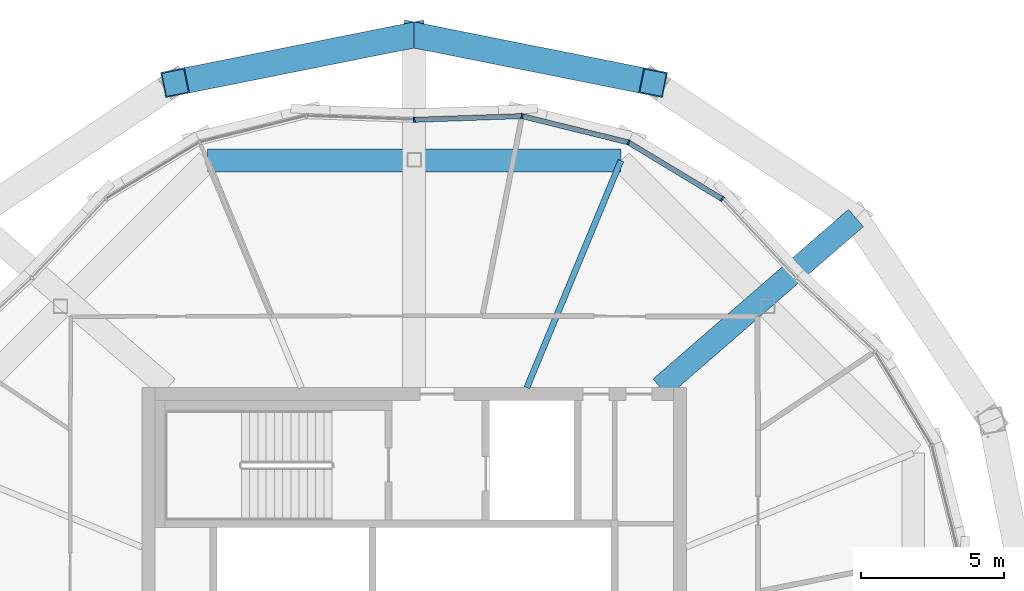
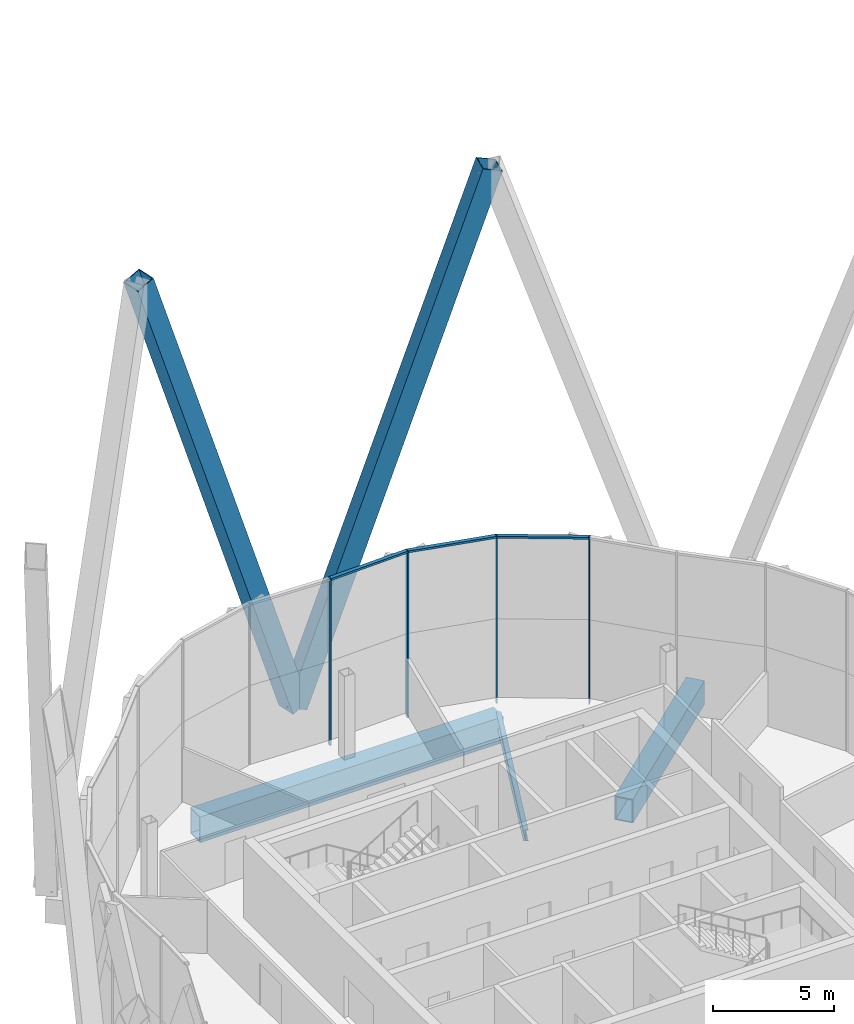
# One storey, part 9 of 38: 9 members, 3 beams, 1 element without a shape of its own.
"""IFC4 building model written with IfcOpenShell, lengths in metres."""

from ifc_helpers import new_model, si_unit, direction, frame, origin, origin_2d, place, context, subcontext, project, spatial, rectangle, hollow_rectangle, i_section, extrude, material, material_profile, profile_set, type_object, element, aggregate, save


model = new_model("IFC4")

# Units and contexts
model_context = context("Model", 3, precision=1e-05, world=origin(), true_north=direction((0.0, 1.0)))
body_context = subcontext(model_context, "Body", "Model", "MODEL_VIEW")
ifc_project = project(units=[si_unit("LENGTHUNIT", "METRE"), si_unit("AREAUNIT", "SQUARE_METRE"), si_unit("VOLUMEUNIT", "CUBIC_METRE"), si_unit("PLANEANGLEUNIT", "RADIAN"), si_unit("MASSUNIT", "GRAM", prefix="KILO")], contexts=[model_context])

# Site, building, storey
site_placement = place(None, origin())
site = spatial("IfcSite", under=ifc_project, at=site_placement, CompositionType="ELEMENT")
building_placement = place(site_placement, origin())
building = spatial("IfcBuilding", under=site, at=building_placement, Name="Ogive Gate Towers", CompositionType="ELEMENT")
storey_placement = place(building_placement, frame((0.0, 0.0, 268.800048828125)))
storey = spatial("IfcBuildingStorey", under=building, at=storey_placement, Name="L63", CompositionType="ELEMENT", Elevation=268.800048828125)

# Members
ifc_material_1 = material(Name="Steel SM460", Category="steel")
ifc_material_profile_1 = material_profile(ifc_material_1, hollow_rectangle(XDim=0.89990234375, YDim=0.89990234375, WallThickness=0.0400390625, at=origin_2d()), Name="BX 900x900x40")
ifc_profile_set_1 = profile_set([ifc_material_profile_1], Name="Steel SM460")
member_type_1 = type_object("IfcMemberType", Name="Diagrid diagonal BX 900x900x40", PredefinedType="BRACE", material=ifc_profile_set_1)
for number, where, z_axis, x_axis, name in (
    (1, (-36.0, 21.81005859375, 0.0), (0.313729069492, -0.062591606684, 0.947447287045), (0.195652622636, 0.980673264271, 0.0), "T1/L63/SDG005"),
    (2, (-36.0, 21.81005859375, 0.0), (-0.313729069492, -0.062591606684, 0.947447287045), (0.195652622636, -0.980673264271, 0.0), "T1/L63/SDG006"),
):
    element("IfcMember", number, at=place(storey_placement, frame(where, z_axis=z_axis, x_axis=x_axis)), inside=storey, type_object=member_type_1, Name=name, PredefinedType="BRACE", context=body_context, shape_type="SweptSolid", body=[
        extrude(hollow_rectangle(XDim=0.89990234375, YDim=0.89990234375, WallThickness=0.0400390625, at=origin_2d()), origin(), (0.0, 0.0, 1.0), 26.59765625),
    ])

# Beams
ifc_material_profile_2 = material_profile(ifc_material_1, hollow_rectangle(XDim=0.800048828125, YDim=1.300048828125, WallThickness=0.050048828125, at=origin_2d()), Name="BX 1300x800x50")
ifc_profile_set_2 = profile_set([ifc_material_profile_2], Name="Steel SM460")
beam_type_1 = type_object("IfcBeamType", Name="Edge girder BX 1300x800x50", PredefinedType="BEAM", material=ifc_profile_set_2)
beam_1_placement = place(storey_placement, frame((-28.782470703125, 17.42431640625, -0.949951171875), z_axis=(-1.0, 0.0, 0.0), x_axis=(0.0, -1.0, 0.0)))
element("IfcBeam", 3, at=beam_1_placement, inside=storey, type_object=beam_type_1, Name="T1/L63/SBM022", PredefinedType="BEAM", context=body_context, shape_type="SweptSolid", body=[
    extrude(hollow_rectangle(XDim=0.800048828125, YDim=1.300048828125, WallThickness=0.050048828125, at=origin_2d()), origin(), (0.0, 0.0, 1.0), 14.43505859375),
])
ifc_material_2 = material(Name="Steel SM355", Category="steel")
ifc_material_profile_3 = material_profile(ifc_material_2, i_section(OverallWidth=0.2099609375, OverallDepth=0.550048828125, WebThickness=0.010986328125, FlangeThickness=0.01708984375, FilletRadius=0.02392578125, at=origin_2d()), Name="IPE 550")
ifc_profile_set_3 = profile_set([ifc_material_profile_3], Name="Steel SM355")
beam_type_2 = type_object("IfcBeamType", Name="Radial floor beam IPE 550", PredefinedType="BEAM", material=ifc_profile_set_3)
beam_2_placement = place(storey_placement, frame((-32.06494140625, 9.5, -0.574951171875), z_axis=(0.382694515667, 0.923874941579, 0.0), x_axis=(-0.923874941579, 0.382694515667, 0.0)))
element("IfcBeam", 4, at=beam_2_placement, inside=storey, type_object=beam_type_2, Name="T1/L63/SBM011", PredefinedType="BEAM", context=body_context, shape_type="SweptSolid", body=[
    extrude(i_section(OverallWidth=0.2099609375, OverallDepth=0.550048828125, WebThickness=0.010986328125, FlangeThickness=0.01708984375, FilletRadius=0.02392578125, at=origin_2d()), origin(), (0.0, 0.0, 1.0), 8.5771484375),
])

# Curtain wall, members
ifc_material_3 = material(Name="Pale metal aluminium", Category="aluminium")
curtain_wall_type = type_object("IfcCurtainWallType", Name="Tower unitised wall, high zone", PredefinedType="NOTDEFINED", material=ifc_material_3)
curtain_wall_placement = place(storey_placement, origin())
curtain_wall = element("IfcCurtainWall", 5, at=curtain_wall_placement, inside=storey, type_object=curtain_wall_type, Name="CW2 T1 ECW02", PredefinedType="NOTDEFINED")
ifc_material_profile_4 = material_profile(ifc_material_3, rectangle(XDim=0.179931640625, YDim=0.06005859375, at=origin_2d()), Name="60 x 180 aluminium box")
ifc_profile_set_4 = profile_set([ifc_material_profile_4], Name="Pale metal aluminium")
member_type_2 = type_object("IfcMemberType", Name="Tower unitised wall, high zone mullion 60 x 180", PredefinedType="MULLION", material=ifc_profile_set_4)
member_1_placement = place(storey_placement, frame((-25.242431640625, 16.084716796875, -0.300048828125), z_axis=(0.0, 0.0, 1.0), x_axis=(0.630039000759, 0.776563492267, 0.0)))
member_1 = element("IfcMember", 6, at=member_1_placement, type_object=member_type_2, Name="CW2 mullion", PredefinedType="MULLION", context=body_context, shape_type="SweptSolid", body=[
    extrude(rectangle(XDim=0.179931640625, YDim=0.06005859375, at=origin_2d()), origin(), (0.0, 0.0, 1.0), 8.39990234375),
])
member_2_placement = place(storey_placement, frame((-28.51806640625, 18.06298828125, -0.300048828125), z_axis=(0.0, 0.0, 1.0), x_axis=(0.382683432365, 0.923879532511, 0.0)))
member_2 = element("IfcMember", 7, at=member_2_placement, type_object=member_type_2, Name="CW2 mullion", PredefinedType="MULLION", context=body_context, shape_type="SweptSolid", body=[
    extrude(rectangle(XDim=0.179931640625, YDim=0.06005859375, at=origin_2d()), origin(), (0.0, 0.0, 1.0), 8.39990234375),
])
member_3_placement = place(storey_placement, frame((-32.233154296875, 18.98046875, -0.300048828125), z_axis=(0.0, 0.0, 1.0), x_axis=(0.103608461555, 0.994618161253, 0.0)))
member_3 = element("IfcMember", 8, at=member_3_placement, type_object=member_type_2, Name="CW2 mullion", PredefinedType="MULLION", context=body_context, shape_type="SweptSolid", body=[
    extrude(rectangle(XDim=0.179931640625, YDim=0.06005859375, at=origin_2d()), origin(), (0.0, 0.0, 1.0), 8.39990234375),
])
member_4_placement = place(storey_placement, frame((-35.999755859375, 18.85009765625, -0.300048828125), z_axis=(0.0, 0.0, 1.0), x_axis=(-0.034533198497, 0.999403551225, 0.0)))
member_4 = element("IfcMember", 9, at=member_4_placement, type_object=member_type_2, Name="CW2 mullion", PredefinedType="MULLION", context=body_context, shape_type="SweptSolid", body=[
    extrude(rectangle(XDim=0.179931640625, YDim=0.06005859375, at=origin_2d()), origin(), (0.0, 0.0, 1.0), 8.39990234375),
])
ifc_material_profile_5 = material_profile(ifc_material_3, rectangle(XDim=0.179931640625, YDim=0.10009765625, at=origin_2d()), Name="100 x 180 aluminium box")
ifc_profile_set_5 = profile_set([ifc_material_profile_5], Name="Pale metal aluminium")
member_type_3 = type_object("IfcMemberType", Name="Tower unitised wall, high zone transom 100 x 180", PredefinedType="USERDEFINED", material=ifc_profile_set_5)
member_5_placement = place(storey_placement, frame((-25.26708984375, 16.099365234375, 8.050048828125), z_axis=(-0.856009288954, 0.516960440677, 0.0), x_axis=(-0.516960440677, -0.856009288954, 0.0)))
member_5 = element("IfcMember", 10, at=member_5_placement, type_object=member_type_3, Name="CW2 transom", ObjectType="TRANSOM", PredefinedType="USERDEFINED", context=body_context, shape_type="SweptSolid", body=[
    extrude(rectangle(XDim=0.179931640625, YDim=0.10009765625, at=origin_2d()), origin(), (0.0, 0.0, 1.0), 3.76953125),
])
member_6_placement = place(storey_placement, frame((-28.5458984375, 18.069580078125, 8.050048828125), z_axis=(-0.970828181988, 0.239776231218, 0.0), x_axis=(-0.239776231218, -0.970828181988, 0.0)))
member_6 = element("IfcMember", 11, at=member_6_placement, type_object=member_type_3, Name="CW2 transom", ObjectType="TRANSOM", PredefinedType="USERDEFINED", context=body_context, shape_type="SweptSolid", body=[
    extrude(rectangle(XDim=0.179931640625, YDim=0.10009765625, at=origin_2d()), origin(), (0.0, 0.0, 1.0), 3.769287109375),
])
member_7_placement = place(storey_placement, frame((-32.26171875, 18.979248046875, 8.050048828125), z_axis=(-0.999403104292, -0.034546130482, 0.0), x_axis=(0.034546130482, -0.999403104292, 0.0)))
member_7 = element("IfcMember", 12, at=member_7_placement, type_object=member_type_3, Name="CW2 transom", ObjectType="TRANSOM", PredefinedType="USERDEFINED", context=body_context, shape_type="SweptSolid", body=[
    extrude(rectangle(XDim=0.179931640625, YDim=0.10009765625, at=origin_2d()), origin(), (0.0, 0.0, 1.0), 3.710205078125),
])
aggregate(curtain_wall, [member_1, member_2, member_5, member_3, member_6, member_4, member_7])

# Beam
ifc_material_profile_6 = material_profile(ifc_material_1, hollow_rectangle(XDim=0.800048828125, YDim=1.199951171875, WallThickness=0.050048828125, at=origin_2d()), Name="BX 1200x800x50")
ifc_profile_set_6 = profile_set([ifc_material_profile_6], Name="Steel SM460")
beam_type_3 = type_object("IfcBeamType", Name="Transfer radial beam BX 1200x800x50", PredefinedType="BEAM", material=ifc_profile_set_6)
beam_3_placement = place(storey_placement, frame((-27.39990234375, 9.5, -0.900146484375), z_axis=(0.755157389596, 0.655543527875, 0.0), x_axis=(-0.655543527875, 0.755157389596, 0.0)))
element("IfcBeam", 13, at=beam_3_placement, inside=storey, type_object=beam_type_3, Name="T1/L63/SBM010", PredefinedType="BEAM", context=body_context, shape_type="SweptSolid", body=[
    extrude(hollow_rectangle(XDim=0.800048828125, YDim=1.199951171875, WallThickness=0.050048828125, at=origin_2d()), origin(), (0.0, 0.0, 1.0), 9.033935546875),
])

save(model, "model.ifc")
